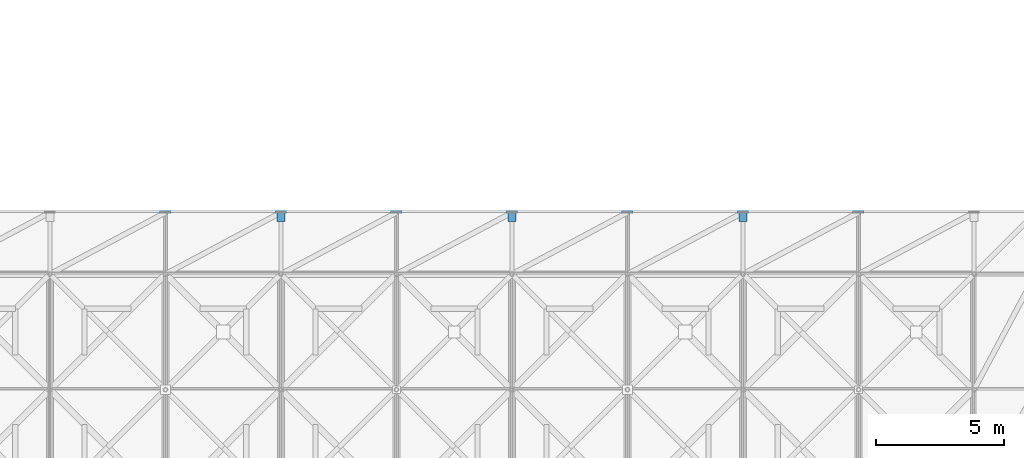
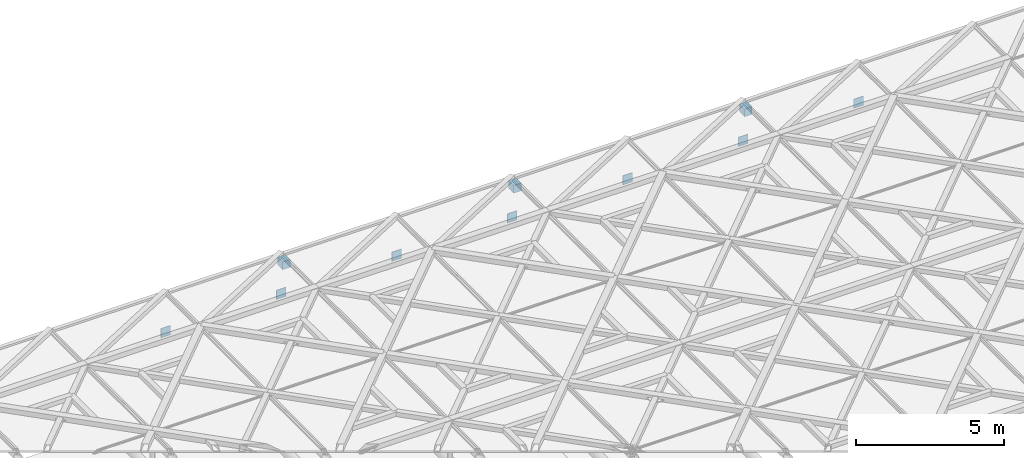
# One storey, part 77 of 80: 10 discrete accessories.
"""IFC4 building model written with IfcOpenShell, lengths in metres."""

from ifc_helpers import new_model, si_unit, direction, frame, origin, origin_2d, place, context, subcontext, project, spatial, rectangle, extrude, material, type_object, element, save


model = new_model("IFC4")

# Units and contexts
model_context = context("Model", 3, precision=1e-05, world=origin(), true_north=direction((0.0, 1.0)))
body_context = subcontext(model_context, "Body", "Model", "MODEL_VIEW")
ifc_project = project(units=[si_unit("LENGTHUNIT", "METRE"), si_unit("AREAUNIT", "SQUARE_METRE"), si_unit("VOLUMEUNIT", "CUBIC_METRE"), si_unit("PLANEANGLEUNIT", "RADIAN"), si_unit("MASSUNIT", "GRAM", prefix="KILO"), si_unit("THERMODYNAMICTEMPERATUREUNIT", "KELVIN"), si_unit("POWERUNIT", "WATT")], contexts=[model_context])

# Site, building, storey
site_placement = place(None, origin())
site = spatial("IfcSite", under=ifc_project, at=site_placement, CompositionType="ELEMENT")
building_placement = place(site_placement, origin())
building = spatial("IfcBuilding", under=site, at=building_placement, Name="Tallowbark Science Centre", CompositionType="ELEMENT")
storey_placement = place(building_placement, frame((0.0, 0.0, 25.949951171875)))
storey = spatial("IfcBuildingStorey", under=building, at=storey_placement, Name="ROOF", CompositionType="ELEMENT", Elevation=25.949951171875)

# Discrete accessories
ifc_material_1 = material(Name="White Architectural Painted Steel Grade C350L0 (350 MPa)", Category="steel")
discrete_accessory_type_1 = type_object("IfcDiscreteAccessoryType", Name="ACC-BRK-OUT", PredefinedType="BRACKET", material=ifc_material_1)
for number, where, z_axis, x_axis, name in (
    (1, (76.5, 42.719970703125, 0.0400390625), (0.0, 0.0, 1.0), (1.0, 0.0, 0.0), "Outrigger Gusset Bracket N-106"),
    (2, (85.5, 42.719970703125, 0.0400390625), (0.0, 0.0, 1.0), (1.0, 0.0, 0.0), "Outrigger Gusset Bracket N-108"),
    (3, (94.5, 42.719970703125, 0.0400390625), (0.0, 0.0, 1.0), (1.0, 0.0, 0.0), "Outrigger Gusset Bracket N-110"),
):
    element("IfcDiscreteAccessory", number, at=place(storey_placement, frame(where, z_axis=z_axis, x_axis=x_axis)), inside=storey, type_object=discrete_accessory_type_1, Name=name, PredefinedType="BRACKET", context=body_context, shape_type="SweptSolid", body=[
        extrude(rectangle(XDim=0.300048828125, YDim=0.35009765625, at=origin_2d()), origin(), (0.0, 0.0, 1.0), 0.320068359375),
    ])
ifc_material_2 = material(Name="Structural Steel Grade C350L0 (350 MPa)", Category="steel")
discrete_accessory_type_2 = type_object("IfcDiscreteAccessoryType", Name="ACC-CAP-380", PredefinedType="BRACKET", material=ifc_material_2)
for number, where, z_axis, x_axis, name in (
    (4, (72.0, 42.909912109375, -1.389892578125), (0.0, 0.0, 1.0), (1.0, 0.0, 0.0), "Truss Bottom Chord End Cap N-4"),
    (5, (76.5, 42.909912109375, -1.389892578125), (0.0, 0.0, 1.0), (1.0, 0.0, 0.0), "Truss Bottom Chord End Cap N-5"),
    (6, (81.0, 42.909912109375, -1.389892578125), (0.0, 0.0, 1.0), (1.0, 0.0, 0.0), "Truss Bottom Chord End Cap N-6"),
    (7, (85.5, 42.909912109375, -1.389892578125), (0.0, 0.0, 1.0), (1.0, 0.0, 0.0), "Truss Bottom Chord End Cap N-7"),
    (8, (90.0, 42.909912109375, -1.389892578125), (0.0, 0.0, 1.0), (1.0, 0.0, 0.0), "Truss Bottom Chord End Cap N-8"),
    (9, (94.5, 42.909912109375, -1.389892578125), (0.0, 0.0, 1.0), (1.0, 0.0, 0.0), "Truss Bottom Chord End Cap N-9"),
    (10, (99.0, 42.909912109375, -1.389892578125), (0.0, 0.0, 1.0), (1.0, 0.0, 0.0), "Truss Bottom Chord End Cap N-10"),
):
    element("IfcDiscreteAccessory", number, at=place(storey_placement, frame(where, z_axis=z_axis, x_axis=x_axis)), inside=storey, type_object=discrete_accessory_type_2, Name=name, PredefinedType="BRACKET", context=body_context, shape_type="SweptSolid", body=[
        extrude(rectangle(XDim=0.3798828125, YDim=0.02392578125, at=origin_2d()), origin(), (0.0, 0.0, 1.0), 0.3798828125),
    ])

save(model, "model.ifc")
